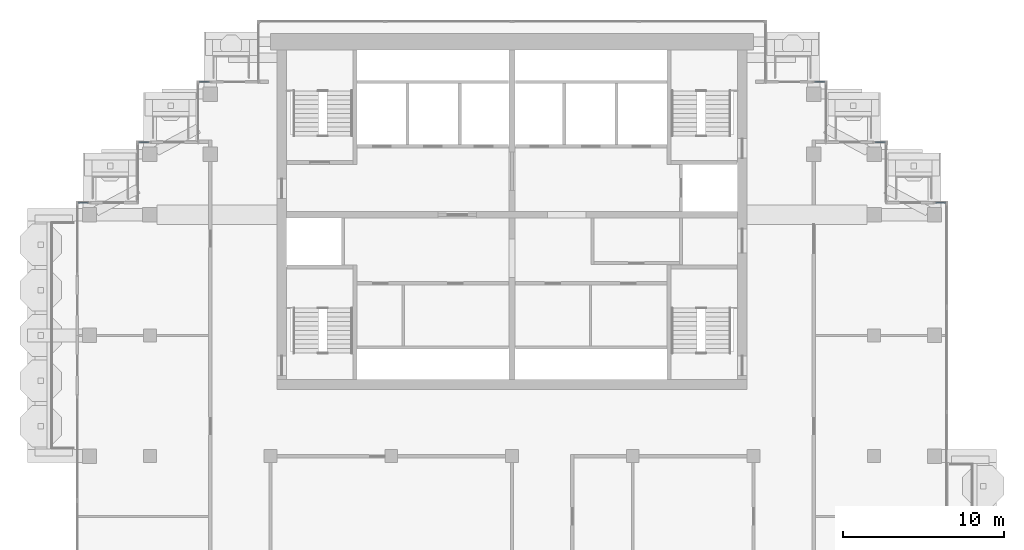
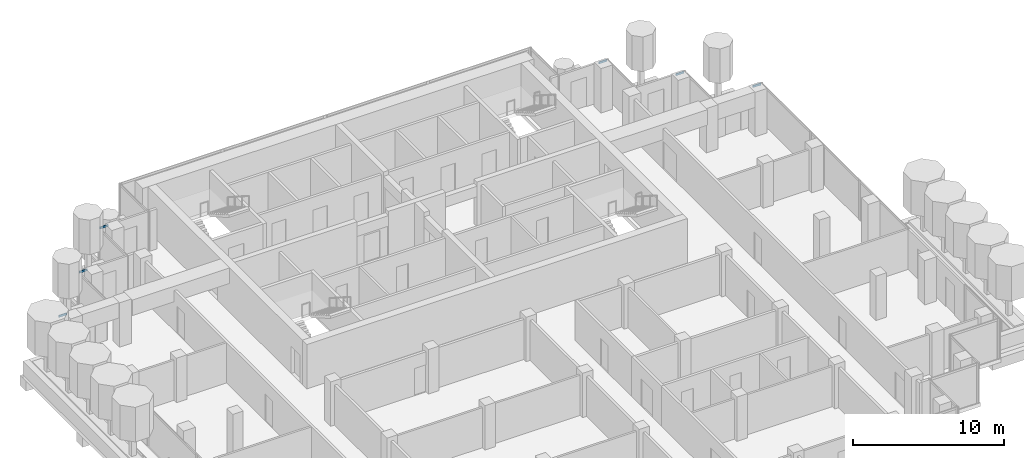
# One storey, part 7 of 18: 6 members, 6 elements without a shape of their own.
"""IFC4 building model written with IfcOpenShell, lengths in metres."""

from ifc_helpers import new_model, si_unit, direction, frame, origin, origin_2d, place, context, subcontext, project, spatial, rectangle, extrude, material, material_profile, profile_set, type_object, element, aggregate, save


model = new_model("IFC4")

# Units and contexts
model_context = context("Model", 3, precision=1e-05, world=origin(), true_north=direction((0.0, 1.0)))
body_context = subcontext(model_context, "Body", "Model", "MODEL_VIEW")
ifc_project = project(units=[si_unit("LENGTHUNIT", "METRE"), si_unit("AREAUNIT", "SQUARE_METRE"), si_unit("VOLUMEUNIT", "CUBIC_METRE"), si_unit("PLANEANGLEUNIT", "RADIAN"), si_unit("MASSUNIT", "GRAM", prefix="KILO")], contexts=[model_context])

# Site, building, storey
site_placement = place(None, origin())
site = spatial("IfcSite", under=ifc_project, at=site_placement, CompositionType="ELEMENT")
building_placement = place(site_placement, origin())
building = spatial("IfcBuilding", under=site, at=building_placement, Name="Pilkhan Gate Tower", CompositionType="ELEMENT")
storey_placement = place(building_placement, frame((0.0, 0.0, 249.89990234375)))
storey = spatial("IfcBuildingStorey", under=building, at=storey_placement, Name="L65", CompositionType="ELEMENT", Elevation=249.89990234375)

# Curtain wall, member
ifc_material_1 = material(Name="Pale anodised aluminium, clear low-iron double glazing", Category="aluminium")
curtain_wall_type = type_object("IfcCurtainWallType", Name="Office unitised curtain wall CW-O2", PredefinedType="USERDEFINED", material=ifc_material_1)
curtain_wall_1_placement = place(storey_placement, origin())
curtain_wall_1 = element("IfcCurtainWall", 1, at=curtain_wall_1_placement, inside=storey, type_object=curtain_wall_type, Name="Office unitised curtain wall CW-O2 L65 N", ObjectType="UNITISED CURTAIN WALL", PredefinedType="USERDEFINED")
ifc_material_2 = material(Name="Pale anodised aluminium", Category="aluminium")
ifc_material_profile = material_profile(ifc_material_2, rectangle(XDim=0.06494140625, YDim=0.1650390625, at=origin_2d()), Name="Transom 165x65")
ifc_profile_set = profile_set([ifc_material_profile], Name="Pale anodised aluminium")
member_type = type_object("IfcMemberType", Name="Transom CW-O2 165x65", PredefinedType="USERDEFINED", material=ifc_profile_set)
member_1_placement = place(storey_placement, frame((101.31494140625, 83.25, 3.16748046875), z_axis=(1.0, 0.0, 0.0), x_axis=(0.0, 1.0, 0.0)))
member_1 = element("IfcMember", 2, at=member_1_placement, type_object=member_type, Name="CW-O2 transom 1", ObjectType="TRANSOM", PredefinedType="USERDEFINED", context=body_context, shape_type="SweptSolid", body=[
    extrude(rectangle(XDim=0.06494140625, YDim=0.1650390625, at=origin_2d()), origin(), (0.0, 0.0, 1.0), 0.6201171875),
])
aggregate(curtain_wall_1, [member_1])

curtain_wall_2_placement = place(storey_placement, origin())
curtain_wall_2 = element("IfcCurtainWall", 3, at=curtain_wall_2_placement, inside=storey, type_object=curtain_wall_type, Name="Office unitised curtain wall CW-O2 L65 N", ObjectType="UNITISED CURTAIN WALL", PredefinedType="USERDEFINED")
member_2_placement = place(storey_placement, frame((97.56494140625, 87.0, 3.16748046875), z_axis=(1.0, 0.0, 0.0), x_axis=(0.0, 1.0, 0.0)))
member_2 = element("IfcMember", 4, at=member_2_placement, type_object=member_type, Name="CW-O2 transom 1", ObjectType="TRANSOM", PredefinedType="USERDEFINED", context=body_context, shape_type="SweptSolid", body=[
    extrude(rectangle(XDim=0.06494140625, YDim=0.1650390625, at=origin_2d()), origin(), (0.0, 0.0, 1.0), 0.6201171875),
])
aggregate(curtain_wall_2, [member_2])

curtain_wall_3_placement = place(storey_placement, origin())
curtain_wall_3 = element("IfcCurtainWall", 5, at=curtain_wall_3_placement, inside=storey, type_object=curtain_wall_type, Name="Office unitised curtain wall CW-O2 L65 N", ObjectType="UNITISED CURTAIN WALL", PredefinedType="USERDEFINED")
member_3_placement = place(storey_placement, frame((93.81494140625, 90.75, 3.16748046875), z_axis=(1.0, 0.0, 0.0), x_axis=(0.0, 1.0, 0.0)))
member_3 = element("IfcMember", 6, at=member_3_placement, type_object=member_type, Name="CW-O2 transom 1", ObjectType="TRANSOM", PredefinedType="USERDEFINED", context=body_context, shape_type="SweptSolid", body=[
    extrude(rectangle(XDim=0.06494140625, YDim=0.1650390625, at=origin_2d()), origin(), (0.0, 0.0, 1.0), 0.6201171875),
])
aggregate(curtain_wall_3, [member_3])

curtain_wall_4_placement = place(storey_placement, origin())
curtain_wall_4 = element("IfcCurtainWall", 7, at=curtain_wall_4_placement, inside=storey, type_object=curtain_wall_type, Name="Office unitised curtain wall CW-O2 L65 N", ObjectType="UNITISED CURTAIN WALL", PredefinedType="USERDEFINED")
member_4_placement = place(storey_placement, frame((55.56494140625, 90.75, 3.16748046875), z_axis=(1.0, 0.0, 0.0), x_axis=(0.0, 1.0, 0.0)))
member_4 = element("IfcMember", 8, at=member_4_placement, type_object=member_type, Name="CW-O2 transom 1", ObjectType="TRANSOM", PredefinedType="USERDEFINED", context=body_context, shape_type="SweptSolid", body=[
    extrude(rectangle(XDim=0.06494140625, YDim=0.1650390625, at=origin_2d()), origin(), (0.0, 0.0, 1.0), 0.6201171875),
])
aggregate(curtain_wall_4, [member_4])

curtain_wall_5_placement = place(storey_placement, origin())
curtain_wall_5 = element("IfcCurtainWall", 9, at=curtain_wall_5_placement, inside=storey, type_object=curtain_wall_type, Name="Office unitised curtain wall CW-O2 L65 N", ObjectType="UNITISED CURTAIN WALL", PredefinedType="USERDEFINED")
member_5_placement = place(storey_placement, frame((51.81494140625, 87.0, 3.16748046875), z_axis=(1.0, 0.0, 0.0), x_axis=(0.0, 1.0, 0.0)))
member_5 = element("IfcMember", 10, at=member_5_placement, type_object=member_type, Name="CW-O2 transom 1", ObjectType="TRANSOM", PredefinedType="USERDEFINED", context=body_context, shape_type="SweptSolid", body=[
    extrude(rectangle(XDim=0.06494140625, YDim=0.1650390625, at=origin_2d()), origin(), (0.0, 0.0, 1.0), 0.6201171875),
])
aggregate(curtain_wall_5, [member_5])

curtain_wall_6_placement = place(storey_placement, origin())
curtain_wall_6 = element("IfcCurtainWall", 11, at=curtain_wall_6_placement, inside=storey, type_object=curtain_wall_type, Name="Office unitised curtain wall CW-O2 L65 N", ObjectType="UNITISED CURTAIN WALL", PredefinedType="USERDEFINED")
member_6_placement = place(storey_placement, frame((48.06494140625, 83.25, 3.16748046875), z_axis=(1.0, 0.0, 0.0), x_axis=(0.0, 1.0, 0.0)))
member_6 = element("IfcMember", 12, at=member_6_placement, type_object=member_type, Name="CW-O2 transom 1", ObjectType="TRANSOM", PredefinedType="USERDEFINED", context=body_context, shape_type="SweptSolid", body=[
    extrude(rectangle(XDim=0.06494140625, YDim=0.1650390625, at=origin_2d()), origin(), (0.0, 0.0, 1.0), 0.6201171875),
])
aggregate(curtain_wall_6, [member_6])

save(model, "model.ifc")
